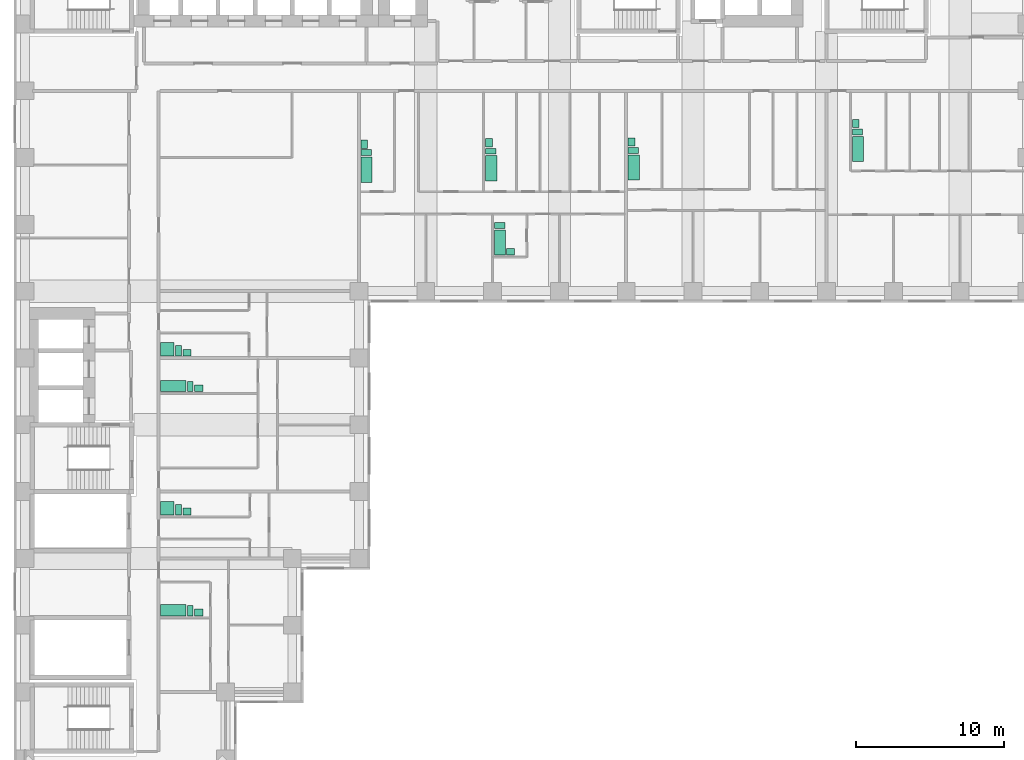
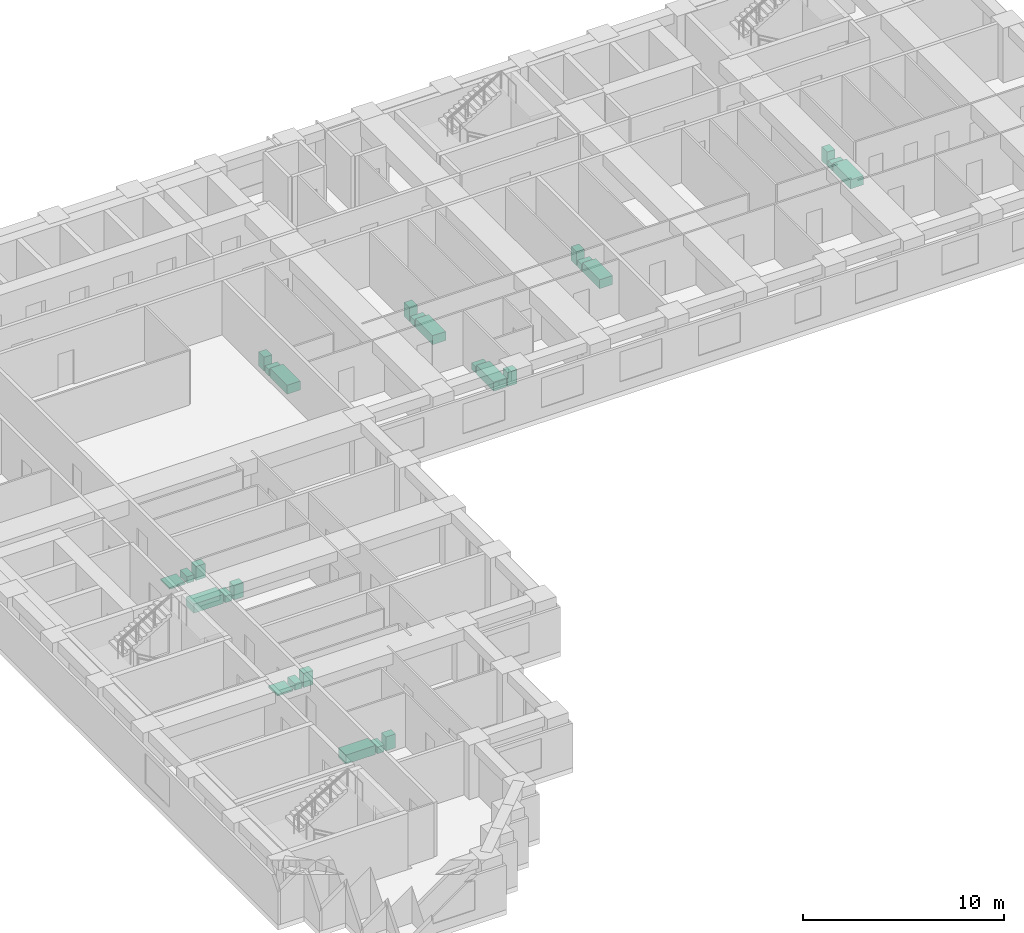
# One storey, part 12 of 12: 27 sanitary terminals.
"""IFC4 building model written with IfcOpenShell, lengths in metres."""

from ifc_helpers import new_model, si_unit, direction, frame, origin, origin_2d, place, context, subcontext, project, spatial, rectangle, extrude, material, type_object, element, save


model = new_model("IFC4")

# Units and contexts
model_context = context("Model", 3, precision=1e-05, world=origin(), true_north=direction((0.0, 1.0)))
body_context = subcontext(model_context, "Body", "Model", "MODEL_VIEW")
ifc_project = project(units=[si_unit("LENGTHUNIT", "METRE"), si_unit("AREAUNIT", "SQUARE_METRE"), si_unit("VOLUMEUNIT", "CUBIC_METRE"), si_unit("PLANEANGLEUNIT", "RADIAN"), si_unit("MASSUNIT", "GRAM", prefix="KILO")], contexts=[model_context])

# Site, building, storey
site_placement = place(None, origin())
site = spatial("IfcSite", under=ifc_project, at=site_placement, CompositionType="ELEMENT")
building_placement = place(site_placement, origin())
building = spatial("IfcBuilding", under=site, at=building_placement, Name="Firuza Court", CompositionType="ELEMENT")
storey_placement = place(building_placement, frame((0.0, 0.0, 54.199951171875)))
storey = spatial("IfcBuildingStorey", under=building, at=storey_placement, Name="L12", CompositionType="ELEMENT", Elevation=54.199951171875)

# Sanitary terminals
ifc_material_1 = material(Name="Vitreous china", Category="ceramic")
sanitary_terminal_type_1 = type_object("IfcSanitaryTerminalType", Name="Fixture Bath", PredefinedType="BATH", material=ifc_material_1)
for number, where, z_axis, x_axis, name in (
    (1, (23.0048828125, 44.179931640625, 0.0), (0.0, 0.0, 1.0), (1.0, 0.0, 0.0), "Bath"),
    (2, (31.405029296875, 44.280029296875, 0.0), (0.0, 0.0, 1.0), (1.0, 0.0, 0.0), "Bath"),
    (3, (32.0048828125, 39.280029296875, 0.0), (0.0, 0.0, 1.0), (1.0, 0.0, 0.0), "Bath"),
    (4, (41.0048828125, 44.330078125, 0.0), (0.0, 0.0, 1.0), (1.0, 0.0, 0.0), "Bath"),
    (5, (56.10498046875, 45.580078125, 0.0), (0.0, 0.0, 1.0), (1.0, 0.0, 0.0), "Bath"),
):
    element("IfcSanitaryTerminal", number, at=place(storey_placement, frame(where, z_axis=z_axis, x_axis=x_axis)), inside=storey, type_object=sanitary_terminal_type_1, Name=name, PredefinedType="BATH", context=body_context, shape_type="SweptSolid", body=[
        extrude(rectangle(XDim=0.75, YDim=1.699951171875, at=origin_2d()), origin(), (0.0, 0.0, 1.0), 0.550048828125),
    ])
for number, where, z_axis, x_axis, name in (
    (6, (9.97998046875, 29.60498046875, 0.0), (0.0, 0.0, 1.0), (1.0, 0.0, 0.0), "Bath"),
    (7, (9.97998046875, 14.5048828125, 0.0), (0.0, 0.0, 1.0), (1.0, 0.0, 0.0), "Bath"),
):
    element("IfcSanitaryTerminal", number, at=place(storey_placement, frame(where, z_axis=z_axis, x_axis=x_axis)), inside=storey, type_object=sanitary_terminal_type_1, Name=name, PredefinedType="BATH", context=body_context, shape_type="SweptSolid", body=[
        extrude(rectangle(XDim=1.699951171875, YDim=0.75, at=origin_2d()), origin(), (0.0, 0.0, 1.0), 0.550048828125),
    ])
ifc_material_2 = material(Name="Vitreous china", Category="ceramic")
sanitary_terminal_type_2 = type_object("IfcSanitaryTerminalType", Name="Fixture Shower tray", PredefinedType="SHOWER", material=ifc_material_2)
for number, where, z_axis, x_axis, name in (
    (8, (9.580078125, 32.080078125, 0.0), (0.0, 0.0, 1.0), (1.0, 0.0, 0.0), "Shower tray"),
    (9, (9.580078125, 21.3798828125, 0.0), (0.0, 0.0, 1.0), (1.0, 0.0, 0.0), "Shower tray"),
):
    element("IfcSanitaryTerminal", number, at=place(storey_placement, frame(where, z_axis=z_axis, x_axis=x_axis)), inside=storey, type_object=sanitary_terminal_type_2, Name=name, PredefinedType="SHOWER", context=body_context, shape_type="SweptSolid", body=[
        extrude(rectangle(XDim=0.89990234375, YDim=0.89990234375, at=origin_2d()), origin(), (0.0, 0.0, 1.0), 0.10009765625),
    ])
ifc_material_3 = material(Name="Vitreous china", Category="ceramic")
sanitary_terminal_type_3 = type_object("IfcSanitaryTerminalType", Name="Fixture WC pan", PredefinedType="TOILETPAN", material=ifc_material_3)
for number, where, z_axis, x_axis, name in (
    (10, (22.97998046875, 45.330078125, 0.0), (0.0, 0.0, 1.0), (1.0, 0.0, 0.0), "WC pan"),
    (11, (31.3798828125, 45.429931640625, 0.0), (0.0, 0.0, 1.0), (1.0, 0.0, 0.0), "WC pan"),
    (12, (31.97998046875, 40.429931640625, 0.0), (0.0, 0.0, 1.0), (1.0, 0.0, 0.0), "WC pan"),
    (13, (40.97998046875, 45.47998046875, 0.0), (0.0, 0.0, 1.0), (1.0, 0.0, 0.0), "WC pan"),
    (14, (56.080078125, 46.72998046875, 0.0), (0.0, 0.0, 1.0), (1.0, 0.0, 0.0), "WC pan"),
):
    element("IfcSanitaryTerminal", number, at=place(storey_placement, frame(where, z_axis=z_axis, x_axis=x_axis)), inside=storey, type_object=sanitary_terminal_type_3, Name=name, PredefinedType="TOILETPAN", context=body_context, shape_type="SweptSolid", body=[
        extrude(rectangle(XDim=0.699951171875, YDim=0.39990234375, at=origin_2d()), origin(), (0.0, 0.0, 1.0), 0.39990234375),
    ])
for number, where, z_axis, x_axis, name in (
    (15, (10.330078125, 31.97998046875, 0.0), (0.0, 0.0, 1.0), (1.0, 0.0, 0.0), "WC pan"),
    (16, (11.1298828125, 29.580078125, 0.0), (0.0, 0.0, 1.0), (1.0, 0.0, 0.0), "WC pan"),
    (17, (10.330078125, 21.280029296875, 0.0), (0.0, 0.0, 1.0), (1.0, 0.0, 0.0), "WC pan"),
    (18, (11.1298828125, 14.47998046875, 0.0), (0.0, 0.0, 1.0), (1.0, 0.0, 0.0), "WC pan"),
):
    element("IfcSanitaryTerminal", number, at=place(storey_placement, frame(where, z_axis=z_axis, x_axis=x_axis)), inside=storey, type_object=sanitary_terminal_type_3, Name=name, PredefinedType="TOILETPAN", context=body_context, shape_type="SweptSolid", body=[
        extrude(rectangle(XDim=0.39990234375, YDim=0.699951171875, at=origin_2d()), origin(), (0.0, 0.0, 1.0), 0.39990234375),
    ])
ifc_material_4 = material(Name="Vitreous china", Category="ceramic")
sanitary_terminal_type_4 = type_object("IfcSanitaryTerminalType", Name="Fixture Washbasin", PredefinedType="WASHHANDBASIN", material=ifc_material_4)
for number, where, z_axis, x_axis, name in (
    (19, (22.85498046875, 45.905029296875, 0.0), (0.0, 0.0, 1.0), (1.0, 0.0, 0.0), "Washbasin"),
    (20, (31.2548828125, 46.0048828125, 0.0), (0.0, 0.0, 1.0), (1.0, 0.0, 0.0), "Washbasin"),
):
    element("IfcSanitaryTerminal", number, at=place(storey_placement, frame(where, z_axis=z_axis, x_axis=x_axis)), inside=storey, type_object=sanitary_terminal_type_4, Name=name, PredefinedType="WASHHANDBASIN", context=body_context, shape_type="SweptSolid", body=[
        extrude(rectangle(XDim=0.449951171875, YDim=0.550048828125, at=origin_2d()), origin(), (0.0, 0.0, 1.0), 0.85009765625),
    ])
sanitary_terminal_placement = place(storey_placement, frame((32.705078125, 38.655029296875, 0.0), z_axis=(0.0, 0.0, 1.0), x_axis=(1.0, 0.0, 0.0)))
element("IfcSanitaryTerminal", 21, at=sanitary_terminal_placement, inside=storey, type_object=sanitary_terminal_type_4, Name="Washbasin", PredefinedType="WASHHANDBASIN", context=body_context, shape_type="SweptSolid", body=[
    extrude(rectangle(XDim=0.550048828125, YDim=0.449951171875, at=origin_2d()), origin(), (0.0, 0.0, 1.0), 0.85009765625),
])
for number, where, z_axis, x_axis, name in (
    (22, (40.85498046875, 46.054931640625, 0.0), (0.0, 0.0, 1.0), (1.0, 0.0, 0.0), "Washbasin"),
    (23, (55.955078125, 47.304931640625, 0.0), (0.0, 0.0, 1.0), (1.0, 0.0, 0.0), "Washbasin"),
):
    element("IfcSanitaryTerminal", number, at=place(storey_placement, frame(where, z_axis=z_axis, x_axis=x_axis)), inside=storey, type_object=sanitary_terminal_type_4, Name=name, PredefinedType="WASHHANDBASIN", context=body_context, shape_type="SweptSolid", body=[
        extrude(rectangle(XDim=0.449951171875, YDim=0.550048828125, at=origin_2d()), origin(), (0.0, 0.0, 1.0), 0.85009765625),
    ])
for number, where, z_axis, x_axis, name in (
    (24, (10.905029296875, 31.85498046875, 0.0), (0.0, 0.0, 1.0), (1.0, 0.0, 0.0), "Washbasin"),
    (25, (11.705078125, 29.455078125, 0.0), (0.0, 0.0, 1.0), (1.0, 0.0, 0.0), "Washbasin"),
    (26, (10.905029296875, 21.155029296875, 0.0), (0.0, 0.0, 1.0), (1.0, 0.0, 0.0), "Washbasin"),
    (27, (11.705078125, 14.35498046875, 0.0), (0.0, 0.0, 1.0), (1.0, 0.0, 0.0), "Washbasin"),
):
    element("IfcSanitaryTerminal", number, at=place(storey_placement, frame(where, z_axis=z_axis, x_axis=x_axis)), inside=storey, type_object=sanitary_terminal_type_4, Name=name, PredefinedType="WASHHANDBASIN", context=body_context, shape_type="SweptSolid", body=[
        extrude(rectangle(XDim=0.550048828125, YDim=0.449951171875, at=origin_2d()), origin(), (0.0, 0.0, 1.0), 0.85009765625),
    ])

save(model, "model.ifc")
